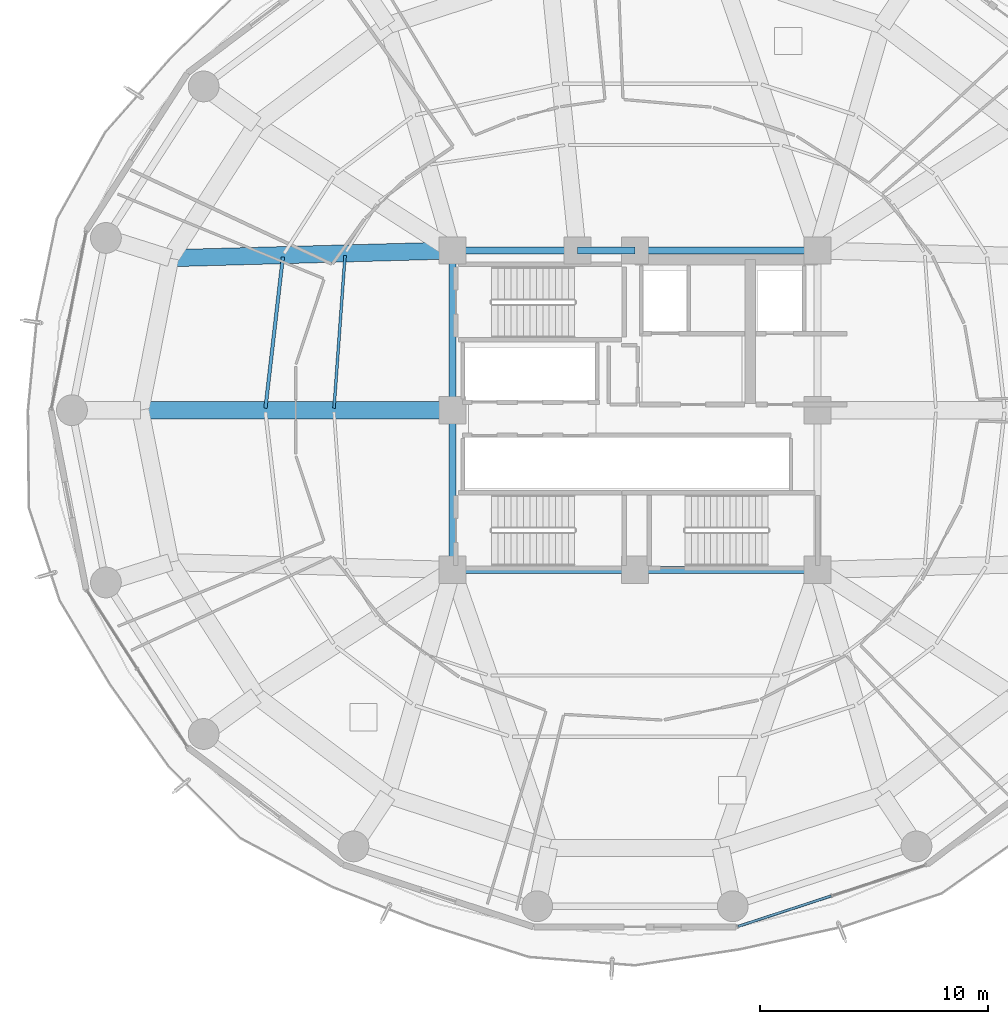
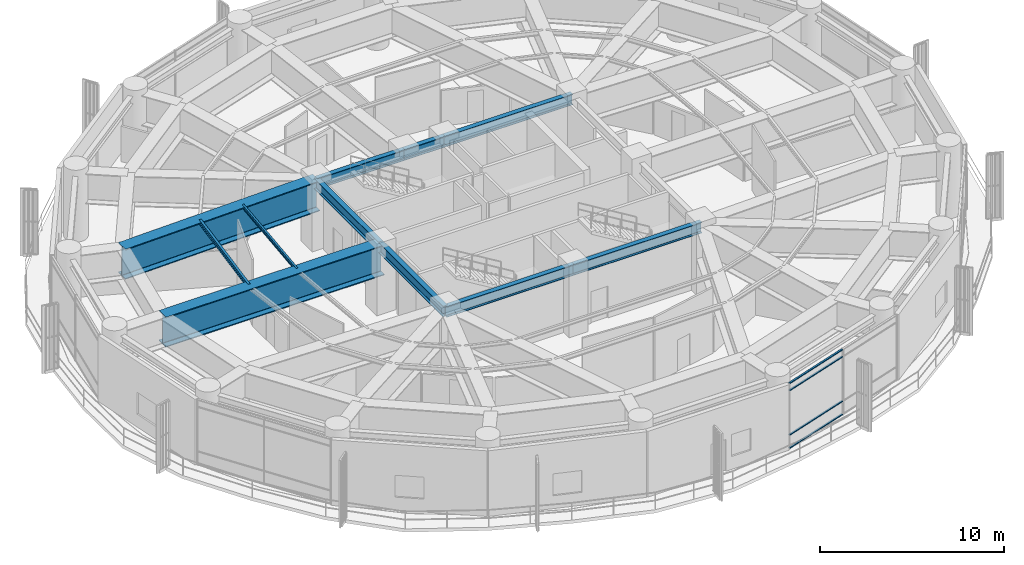
# One storey, part 9 of 34: 11 beams, 4 members, 1 element without a shape of its own.
"""IFC4 building model written with IfcOpenShell, lengths in metres."""

from ifc_helpers import new_model, si_unit, direction, frame, origin, origin_2d, place, context, subcontext, project, spatial, hollow_rectangle, i_section, extrude, material, layer, layer_set, material_profile, profile_set, type_object, element, aggregate, save


model = new_model("IFC4")

# Units and contexts
model_context = context("Model", 3, precision=1e-05, world=origin(), true_north=direction((0.0, 1.0)))
body_context = subcontext(model_context, "Body", "Model", "MODEL_VIEW")
ifc_project = project(units=[si_unit("LENGTHUNIT", "METRE"), si_unit("AREAUNIT", "SQUARE_METRE"), si_unit("VOLUMEUNIT", "CUBIC_METRE"), si_unit("PLANEANGLEUNIT", "RADIAN"), si_unit("MASSUNIT", "GRAM", prefix="KILO")], contexts=[model_context])

# Site, building, storey
site_placement = place(None, origin())
site = spatial("IfcSite", under=ifc_project, at=site_placement, CompositionType="ELEMENT")
building_placement = place(site_placement, origin())
building = spatial("IfcBuilding", under=site, at=building_placement, Name="Kelanora Arch Commons", CompositionType="ELEMENT")
storey_placement = place(building_placement, frame((0.0, 0.0, 125.10009765625)))
storey = spatial("IfcBuildingStorey", under=building, at=storey_placement, Name="L32", CompositionType="ELEMENT", Elevation=125.10009765625)

# Beams
ifc_material_1 = material(Name="Steel S355", Category="steel")
ifc_material_profile_1 = material_profile(ifc_material_1, i_section(OverallWidth=0.300048828125, OverallDepth=0.699951171875, WebThickness=0.01708984375, FlangeThickness=0.031982421875, FilletRadius=0.027099609375, at=origin_2d()), Name="HEB700")
ifc_profile_set_1 = profile_set([ifc_material_profile_1], Name="Steel S355")
beam_type_1 = type_object("IfcBeamType", Name="BM-CORE-HDR", PredefinedType="BEAM", material=ifc_profile_set_1)
for number, where, z_axis, x_axis, name in (
    (1, (66.0, 51.0, 4.010009765625), (1.0, 0.0, 0.0), (0.0, 1.0, 0.0), "Core Header Beam 01 L32"),
    (2, (74.0, 51.0, 4.010009765625), (1.0, 0.0, 0.0), (0.0, 1.0, 0.0), "Core Header Beam 02 L32"),
    (3, (82.0, 65.0, 4.010009765625), (-1.0, 0.0, 0.0), (0.0, -1.0, 0.0), "Core Header Beam 05 L32"),
):
    element("IfcBeam", number, at=place(storey_placement, frame(where, z_axis=z_axis, x_axis=x_axis)), inside=storey, type_object=beam_type_1, Name=name, PredefinedType="BEAM", context=body_context, shape_type="SweptSolid", body=[
        extrude(i_section(OverallWidth=0.300048828125, OverallDepth=0.699951171875, WebThickness=0.01708984375, FlangeThickness=0.031982421875, FilletRadius=0.027099609375, at=origin_2d()), origin(), (0.0, 0.0, 1.0), 8.0),
    ])
beam_1_placement = place(storey_placement, frame((74.0, 65.0, 4.010009765625), z_axis=(-1.0, 0.0, 0.0), x_axis=(0.0, -1.0, 0.0)))
element("IfcBeam", 4, at=beam_1_placement, inside=storey, type_object=beam_type_1, Name="Core Header Beam 06 L32", PredefinedType="BEAM", context=body_context, shape_type="SweptSolid", body=[
    extrude(i_section(OverallWidth=0.300048828125, OverallDepth=0.699951171875, WebThickness=0.01708984375, FlangeThickness=0.031982421875, FilletRadius=0.027099609375, at=origin_2d()), origin(), (0.0, 0.0, 1.0), 2.52001953125),
])
beam_2_placement = place(storey_placement, frame((71.47998046875, 65.0, 4.010009765625), z_axis=(-1.0, 0.0, 0.0), x_axis=(0.0, -1.0, 0.0)))
element("IfcBeam", 5, at=beam_2_placement, inside=storey, type_object=beam_type_1, Name="Core Header Beam 07 L32", PredefinedType="BEAM", context=body_context, shape_type="SweptSolid", body=[
    extrude(i_section(OverallWidth=0.300048828125, OverallDepth=0.699951171875, WebThickness=0.01708984375, FlangeThickness=0.031982421875, FilletRadius=0.027099609375, at=origin_2d()), origin(), (0.0, 0.0, 1.0), 5.47998046875),
])
for number, where, z_axis, x_axis, name in (
    (6, (66.0, 65.0, 4.010009765625), (0.0, -1.0, 0.0), (1.0, 0.0, 0.0), "Core Header Beam 08 L32"),
    (7, (66.0, 58.0, 4.010009765625), (0.0, -1.0, 0.0), (1.0, 0.0, 0.0), "Core Header Beam 09 L32"),
):
    element("IfcBeam", number, at=place(storey_placement, frame(where, z_axis=z_axis, x_axis=x_axis)), inside=storey, type_object=beam_type_1, Name=name, PredefinedType="BEAM", context=body_context, shape_type="SweptSolid", body=[
        extrude(i_section(OverallWidth=0.300048828125, OverallDepth=0.699951171875, WebThickness=0.01708984375, FlangeThickness=0.031982421875, FilletRadius=0.027099609375, at=origin_2d()), origin(), (0.0, 0.0, 1.0), 7.0),
    ])
ifc_material_profile_2 = material_profile(ifc_material_1, i_section(OverallWidth=0.14990234375, OverallDepth=0.300048828125, WebThickness=0.007080078125, FlangeThickness=0.0107421875, FilletRadius=0.014892578125, at=origin_2d()), Name="IPE300")
ifc_profile_set_2 = profile_set([ifc_material_profile_2], Name="Steel S355")
beam_type_2 = type_object("IfcBeamType", Name="BM-JST-01", PredefinedType="JOIST", material=ifc_profile_set_2)
beam_3_placement = place(storey_placement, frame((58.56689453125, 64.713134765625, 4.2099609375), z_axis=(-0.114667159005, -0.9934039675, 0.0), x_axis=(0.9934039675, -0.114667159005, 0.0)))
element("IfcBeam", 8, at=beam_3_placement, inside=storey, type_object=beam_type_2, Name="Secondary Chord Joist BJB-16 L32", PredefinedType="JOIST", context=body_context, shape_type="SweptSolid", body=[
    extrude(i_section(OverallWidth=0.14990234375, OverallDepth=0.300048828125, WebThickness=0.007080078125, FlangeThickness=0.0107421875, FilletRadius=0.014892578125, at=origin_2d()), origin(), (0.0, 0.0, 1.0), 6.672607421875),
])
ifc_material_profile_3 = material_profile(ifc_material_1, i_section(OverallWidth=0.1201171875, OverallDepth=0.239990234375, WebThickness=0.006103515625, FlangeThickness=0.009765625, FilletRadius=0.014892578125, at=origin_2d()), Name="IPE240")
ifc_profile_set_3 = profile_set([ifc_material_profile_3], Name="Steel S355")
beam_type_3 = type_object("IfcBeamType", Name="BM-JST-02", PredefinedType="JOIST", material=ifc_profile_set_3)
beam_4_placement = place(storey_placement, frame((61.292236328125, 64.787109375, 4.239990234375), z_axis=(-0.072117123738, -0.997396170267, 0.0), x_axis=(0.997396170267, -0.072117123738, 0.0)))
element("IfcBeam", 9, at=beam_4_placement, inside=storey, type_object=beam_type_3, Name="Secondary Chord Joist BJA-16 L32", PredefinedType="JOIST", context=body_context, shape_type="SweptSolid", body=[
    extrude(i_section(OverallWidth=0.1201171875, OverallDepth=0.239990234375, WebThickness=0.006103515625, FlangeThickness=0.009765625, FilletRadius=0.014892578125, at=origin_2d()), origin(), (0.0, 0.0, 1.0), 6.719970703125),
])
ifc_material_profile_4 = material_profile(ifc_material_1, i_section(OverallWidth=0.75, OverallDepth=2.0, WebThickness=0.034912109375, FlangeThickness=0.06005859375, FilletRadius=0.028076171875, at=origin_2d()), Name="PG2000x750")
ifc_profile_set_4 = profile_set([ifc_material_profile_4], Name="Steel S355")
beam_type_4 = type_object("IfcBeamType", Name="BM-XFER-SET", PredefinedType="USERDEFINED", material=ifc_profile_set_4)
beam_5_placement = place(storey_placement, frame((66.0, 65.0, 3.35986328125), z_axis=(-0.999628374924, -0.027260081577, 0.0), x_axis=(0.027260081577, -0.999628374924, 0.0)))
element("IfcBeam", 10, at=beam_5_placement, inside=storey, type_object=beam_type_4, Name="Setback Radial Transfer Girder BRI-16 L32", ObjectType="TRANSFER_GIRDER", PredefinedType="USERDEFINED", context=body_context, shape_type="SweptSolid", body=[
    extrude(i_section(OverallWidth=0.75, OverallDepth=2.0, WebThickness=0.034912109375, FlangeThickness=0.06005859375, FilletRadius=0.028076171875, at=origin_2d()), origin(), (0.0, 0.0, 1.0), 12.377197265625),
])
beam_6_placement = place(storey_placement, frame((66.0, 58.0, 3.35986328125), z_axis=(-1.0, 0.0, 0.0), x_axis=(0.0, -1.0, 0.0)))
element("IfcBeam", 11, at=beam_6_placement, inside=storey, type_object=beam_type_4, Name="Setback Radial Transfer Girder BRI-18 L32", ObjectType="TRANSFER_GIRDER", PredefinedType="USERDEFINED", context=body_context, shape_type="SweptSolid", body=[
    extrude(i_section(OverallWidth=0.75, OverallDepth=2.0, WebThickness=0.034912109375, FlangeThickness=0.06005859375, FilletRadius=0.028076171875, at=origin_2d()), origin(), (0.0, 0.0, 1.0), 13.679931640625),
])

# Curtain wall, members
ifc_material_2 = material(Name="Terracotta ceramic-fritted low-E glass and aluminium", Category="masonry")
ifc_layer = layer(ifc_material_2, 0.159912109375)
ifc_layer_set = layer_set([ifc_layer], Name="Terracotta ceramic-fritted low-E glass and aluminium")
curtain_wall_type = type_object("IfcCurtainWallType", Name="CW-SYS-01", PredefinedType="NOTDEFINED", material=ifc_layer_set)
curtain_wall_placement = place(storey_placement, origin())
curtain_wall = element("IfcCurtainWall", 12, at=curtain_wall_placement, inside=storey, type_object=curtain_wall_type, Name="Unitised Curtain Wall L32-B14", PredefinedType="NOTDEFINED")
ifc_material_3 = material(Name="Powder-coated aluminium terracotta", Category="masonry")
ifc_material_profile_5 = material_profile(ifc_material_3, hollow_rectangle(XDim=0.1201171875, YDim=0.06005859375, WallThickness=0.0048828125, InnerFilletRadius=0.0048828125, OuterFilletRadius=0.010009765625, at=origin_2d()), Name="CWT120x60")
ifc_profile_set_5 = profile_set([ifc_material_profile_5], Name="Powder-coated aluminium terracotta")
member_type = type_object("IfcMemberType", Name="CWT-STD", PredefinedType="USERDEFINED", material=ifc_profile_set_5)
member_1_placement = place(storey_placement, frame((78.516845703125, 35.372802734375, 0.02978515625), z_axis=(0.950477544745, 0.31079323824, 0.0), x_axis=(-0.31079323824, 0.950477544745, 0.0)))
member_1 = element("IfcMember", 13, at=member_1_placement, type_object=member_type, Name="CW-01 transom 1.1", ObjectType="TRANSOM", PredefinedType="USERDEFINED", context=body_context, shape_type="SweptSolid", body=[
    extrude(hollow_rectangle(XDim=0.1201171875, YDim=0.06005859375, WallThickness=0.0048828125, InnerFilletRadius=0.0048828125, OuterFilletRadius=0.010009765625, at=origin_2d()), origin(), (0.0, 0.0, 1.0), 4.289794921875),
])
member_2_placement = place(storey_placement, frame((78.516845703125, 35.372802734375, 0.89990234375), z_axis=(0.950477544745, 0.31079323824, 0.0), x_axis=(-0.31079323824, 0.950477544745, 0.0)))
member_2 = element("IfcMember", 14, at=member_2_placement, type_object=member_type, Name="CW-01 transom 1.2", ObjectType="TRANSOM", PredefinedType="USERDEFINED", context=body_context, shape_type="SweptSolid", body=[
    extrude(hollow_rectangle(XDim=0.1201171875, YDim=0.06005859375, WallThickness=0.0048828125, InnerFilletRadius=0.0048828125, OuterFilletRadius=0.010009765625, at=origin_2d()), origin(), (0.0, 0.0, 1.0), 4.289794921875),
])
member_3_placement = place(storey_placement, frame((78.516845703125, 35.372802734375, 3.844970703125), z_axis=(0.950477544745, 0.31079323824, 0.0), x_axis=(-0.31079323824, 0.950477544745, 0.0)))
member_3 = element("IfcMember", 15, at=member_3_placement, type_object=member_type, Name="CW-01 transom 1.3", ObjectType="TRANSOM", PredefinedType="USERDEFINED", context=body_context, shape_type="SweptSolid", body=[
    extrude(hollow_rectangle(XDim=0.1201171875, YDim=0.06005859375, WallThickness=0.0048828125, InnerFilletRadius=0.0048828125, OuterFilletRadius=0.010009765625, at=origin_2d()), origin(), (0.0, 0.0, 1.0), 4.289794921875),
])
member_4_placement = place(storey_placement, frame((78.516845703125, 35.372802734375, 4.31494140625), z_axis=(0.950477544745, 0.31079323824, 0.0), x_axis=(-0.31079323824, 0.950477544745, 0.0)))
member_4 = element("IfcMember", 16, at=member_4_placement, type_object=member_type, Name="CW-01 transom 1.4", ObjectType="TRANSOM", PredefinedType="USERDEFINED", context=body_context, shape_type="SweptSolid", body=[
    extrude(hollow_rectangle(XDim=0.1201171875, YDim=0.06005859375, WallThickness=0.0048828125, InnerFilletRadius=0.0048828125, OuterFilletRadius=0.010009765625, at=origin_2d()), origin(), (0.0, 0.0, 1.0), 4.289794921875),
])
aggregate(curtain_wall, [member_1, member_2, member_3, member_4])

save(model, "model.ifc")
